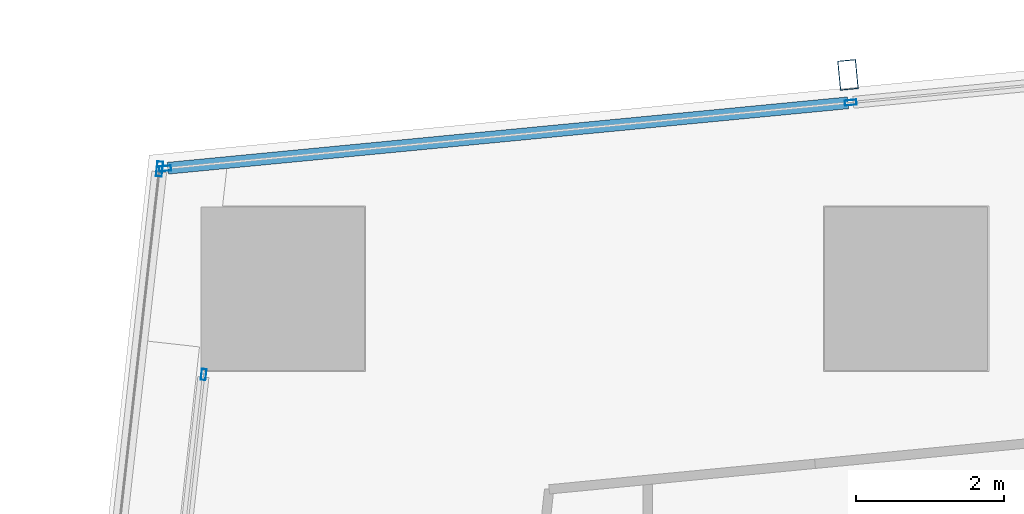
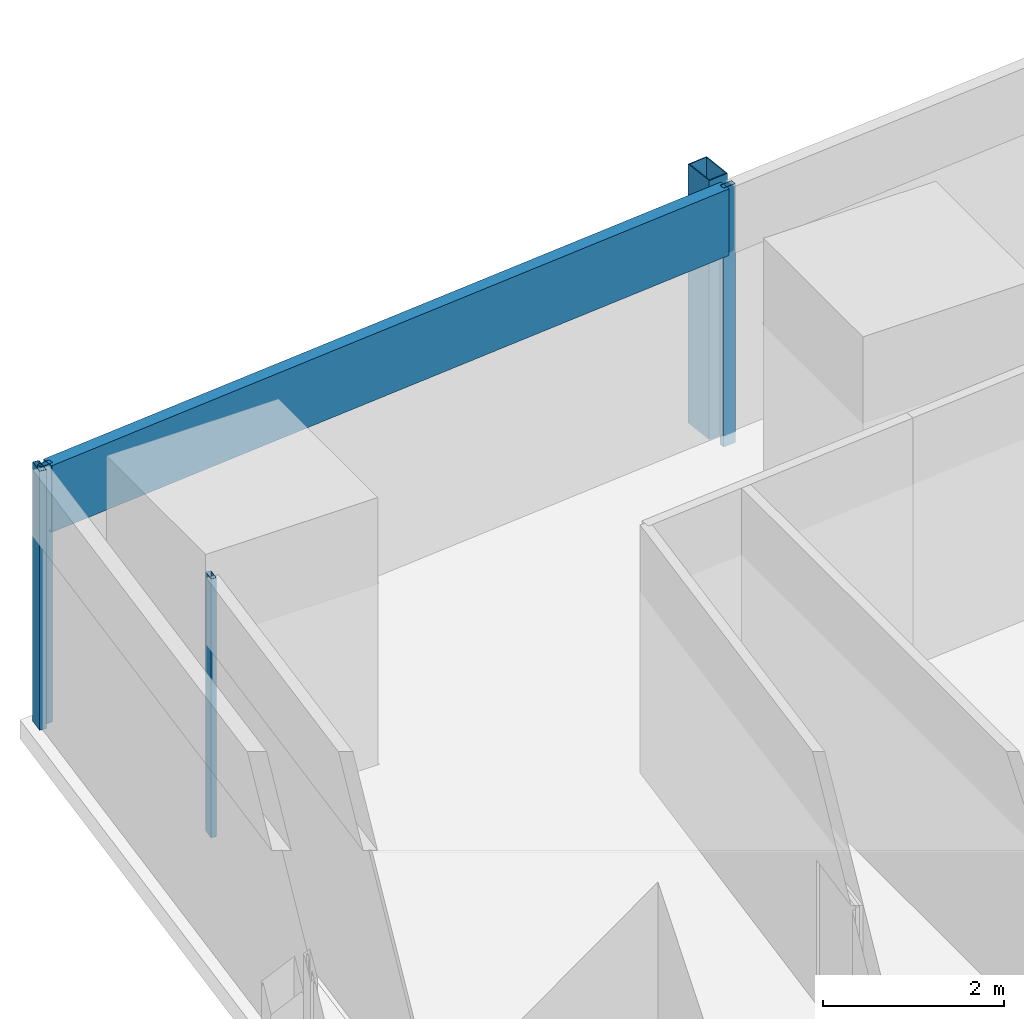
# One storey, part 16 of 44: 6 members, 3 elements without a shape of their own.
"""IFC4 building model written with IfcOpenShell, lengths in metres."""

import ifcopenshell
import ifcopenshell.guid

model = None  # the IFC model being written
_history = None  # IfcOwnerHistory: only IFC2X3 demands one
_inside = {}  # id of a spatial element -> (the spatial element, [elements in it])
_under = {}  # id of a project, library or spatial element -> (it, [spatial elements below it])
_declared = {}  # id of a project -> (the project, [libraries it declares])
_typed = {}  # id of a type object -> (the type object, [elements of that type])
_made_of = {}  # id of a material, layer set ... -> (it, [elements and type objects made of it])


def new_model(schema):
    """Start an empty IFC model of exactly this schema.

    Asked for "IFC4X3", IfcOpenShell would pick the latest addendum, in which some entities
    have other attributes; the version numbers below select the first issue.
    IFC2X3 requires an IfcOwnerHistory on every rooted entity: one is made here for all.
    """
    global model, _history
    if schema == "IFC4X3":
        model = ifcopenshell.file(schema_version=(4, 3, 0, 0))
    else:
        model = ifcopenshell.file(schema=schema)
    _inside.clear()
    _under.clear()
    _declared.clear()
    _typed.clear()
    _made_of.clear()
    _history = None
    if model.schema == "IFC2X3":
        org = make("IfcOrganization", Name="unknown")
        user = make(
            "IfcPersonAndOrganization",
            ThePerson=make("IfcPerson", FamilyName="unknown"),
            TheOrganization=org,
        )
        app = make(
            "IfcApplication",
            ApplicationDeveloper=org,
            Version="unknown",
            ApplicationFullName="unknown",
            ApplicationIdentifier="unknown",
        )
        _history = make(
            "IfcOwnerHistory",
            OwningUser=user,
            OwningApplication=app,
            ChangeAction="ADDED",
            CreationDate=0,
        )
    return model


def make(cls, **values):
    """One entity of the class cls with the attributes given. An attribute that is None is left unset."""
    return model.create_entity(
        cls, **{name: value for name, value in values.items() if value is not None}
    )


def rooted(cls, **values):
    """An entity with a GlobalId (a new one), such as an element, a storey or a relation."""
    return make(cls, GlobalId=ifcopenshell.guid.new(), OwnerHistory=_history, **values)


def si_unit(unit_type, name, prefix=None):
    """IfcSIUnit, for example si_unit("LENGTHUNIT", "METRE", prefix="MILLI")."""
    return make("IfcSIUnit", UnitType=unit_type, Prefix=prefix, Name=name)


def assignment(units):
    """IfcUnitAssignment: the units of a project."""
    return None if units is None else make("IfcUnitAssignment", Units=units)


def point(xyz):
    """IfcCartesianPoint."""
    return None if xyz is None else make("IfcCartesianPoint", Coordinates=xyz)


def direction(xyz):
    """IfcDirection."""
    return None if xyz is None else make("IfcDirection", DirectionRatios=xyz)


def frame(location, z_axis=None, x_axis=None):
    """IfcAxis2Placement3D, a coordinate frame: its origin and axes. An axis left out is left unset."""
    return make(
        "IfcAxis2Placement3D",
        Location=point(location),
        Axis=direction(z_axis),
        RefDirection=direction(x_axis),
    )


def frame_2d(location, x_axis=None):
    """IfcAxis2Placement2D, a coordinate frame in the plane: its origin and x axis."""
    return make(
        "IfcAxis2Placement2D", Location=point(location), RefDirection=direction(x_axis)
    )


def origin():
    """The frame at (0, 0, 0) with its axes left unset."""
    return frame((0.0, 0.0, 0.0))


def origin_2d():
    """The frame at (0, 0) in the plane with its x axis left unset."""
    return frame_2d((0.0, 0.0))


def place(relative_to, where):
    """IfcLocalPlacement: puts the frame where relative to a parent placement (None: the world)."""
    return make(
        "IfcLocalPlacement", PlacementRelTo=relative_to, RelativePlacement=where
    )


def context(
    kind, dimensions, precision=None, world=None, true_north=None, identifier=None
):
    """IfcGeometricRepresentationContext, for example the 3D "Model" context."""
    return make(
        "IfcGeometricRepresentationContext",
        ContextIdentifier=identifier,
        ContextType=kind,
        CoordinateSpaceDimension=dimensions,
        Precision=precision,
        WorldCoordinateSystem=world,
        TrueNorth=true_north,
    )


def subcontext(parent, identifier, kind, view, scale=None):
    """IfcGeometricRepresentationSubContext, for example "Body" below "Model"."""
    return make(
        "IfcGeometricRepresentationSubContext",
        ContextIdentifier=identifier,
        ContextType=kind,
        ParentContext=parent,
        TargetScale=scale,
        TargetView=view,
    )


def project(units=None, contexts=None):
    """IfcProject with its units and contexts."""
    return rooted(
        "IfcProject",
        Name="project",
        RepresentationContexts=contexts,
        UnitsInContext=assignment(units),
    )


def spatial(cls, under=None, at=None, **own):
    """A site, building, storey or space (cls), placed at a placement, below another one or the project."""
    s = rooted(cls, ObjectPlacement=at, **own)
    if under is not None:
        _under.setdefault(under.id(), (under, []))[1].append(s)
    return s


def profile(cls, at=None, kind="AREA", **sizes):
    """A parametric profile (cls). Its sizes go by their IFC names, for example OverallWidth=200.0."""
    return make(cls, ProfileType=kind, Position=at, **sizes)


def hollow_rectangle(**sizes):
    """IfcRectangleHollowProfileDef."""
    return profile("IfcRectangleHollowProfileDef", **sizes)


def extrude(swept, where, along, depth):
    """IfcExtrudedAreaSolid: the profile swept, set in the frame where, extruded along a direction by depth."""
    return make(
        "IfcExtrudedAreaSolid",
        SweptArea=swept,
        Position=where,
        ExtrudedDirection=direction(along),
        Depth=depth,
    )


def shape(context_of_items, identifier, shape_type, items):
    """IfcShapeRepresentation: the items that make up one representation, for example the "Body"."""
    return make(
        "IfcShapeRepresentation",
        ContextOfItems=context_of_items,
        RepresentationIdentifier=identifier,
        RepresentationType=shape_type,
        Items=items,
    )


def material(Name=None, Category=None):
    """IfcMaterial."""
    return make("IfcMaterial", Name=Name, Category=Category)


def material_profile(
    of_material, cross_section, Name=None, Category=None, Priority=None
):
    """IfcMaterialProfile: a cross section and its material."""
    return make(
        "IfcMaterialProfile",
        Name=Name,
        Material=of_material,
        Profile=cross_section,
        Priority=Priority,
        Category=Category,
    )


def profile_set(profiles, Name=None, composite=None):
    """IfcMaterialProfileSet."""
    return make(
        "IfcMaterialProfileSet",
        Name=Name,
        MaterialProfiles=profiles,
        CompositeProfile=composite,
    )


def made_of(thing, what):
    """Note that an element or type object is made of a material, layer set ...; save() writes the relation."""
    if what is not None:
        _made_of.setdefault(what.id(), (what, []))[1].append(thing)
    return thing


def type_object(cls, material=None, **own):
    """A type object (cls), such as IfcWallType, which elements share."""
    return made_of(rooted(cls, **own), material)


def element(
    cls,
    number,
    at=None,
    inside=None,
    cuts=None,
    type_object=None,
    material=None,
    context=None,
    identifier="Body",
    shape_type=None,
    held_by="IfcProductDefinitionShape",
    body=None,
    shapes=None,
    **own,
):
    """One element of the class cls, such as IfcWall. Its Tag is "e" and its number.

    at: its placement. inside: the storey or other place that contains it. cuts: it is an
    opening in that element (IfcRelVoidsElement). A single representation is given by context,
    identifier, shape_type and body (its items); several are given by shapes. held_by: the class
    of the entity that holds the representations. save() writes the other relations.
    """
    e = rooted(cls, Tag="e%d" % number, ObjectPlacement=at, **own)
    if body is not None:
        shapes = [shape(context, identifier, shape_type, body)]
    if shapes is not None:
        e.Representation = make(held_by, Representations=shapes)
    if inside is not None:
        _inside.setdefault(inside.id(), (inside, []))[1].append(e)
    if cuts is not None:
        rooted(
            "IfcRelVoidsElement", RelatingBuildingElement=cuts, RelatedOpeningElement=e
        )
    if type_object is not None:
        _typed.setdefault(type_object.id(), (type_object, []))[1].append(e)
    return made_of(e, material)


def aggregate(whole, parts):
    """IfcRelAggregates: a whole, such as a stair, and the parts it consists of."""
    return rooted("IfcRelAggregates", RelatingObject=whole, RelatedObjects=parts)


def save(model, path):
    """Write the relations noted so far, then the file.

    IfcRelAggregates (storeys below a building ...), IfcRelContainedInSpatialStructure (elements
    in a storey), IfcRelDefinesByType, IfcRelAssociatesMaterial and IfcRelDeclares: one each for
    every whole, place, type object, material and project.
    """
    for whole, parts in _under.values():
        aggregate(whole, parts)
    for where, things in _inside.values():
        rooted(
            "IfcRelContainedInSpatialStructure",
            RelatedElements=things,
            RelatingStructure=where,
        )
    for kind, things in _typed.values():
        rooted("IfcRelDefinesByType", RelatedObjects=things, RelatingType=kind)
    for what, things in _made_of.values():
        rooted("IfcRelAssociatesMaterial", RelatedObjects=things, RelatingMaterial=what)
    for by, libraries in _declared.values():
        rooted("IfcRelDeclares", RelatingContext=by, RelatedDefinitions=libraries)
    model.write(path)


model = new_model("IFC4")

# Units and contexts
model_context = context("Model", 3, precision=1e-05, world=origin(), true_north=direction((0.0, 1.0)))
body_context = subcontext(model_context, "Body", "Model", "MODEL_VIEW")
ifc_project = project(units=[si_unit("LENGTHUNIT", "METRE"), si_unit("AREAUNIT", "SQUARE_METRE"), si_unit("VOLUMEUNIT", "CUBIC_METRE"), si_unit("PLANEANGLEUNIT", "RADIAN"), si_unit("MASSUNIT", "GRAM", prefix="KILO")], contexts=[model_context])

# Site, building, storey
site_placement = place(None, origin())
site = spatial("IfcSite", under=ifc_project, at=site_placement, CompositionType="ELEMENT")
building_placement = place(site_placement, origin())
building = spatial("IfcBuilding", under=site, at=building_placement, Name="Rekha Terrace Tower", CompositionType="ELEMENT")
storey_placement = place(building_placement, frame((0.0, 0.0, 51.64990234375)))
storey = spatial("IfcBuildingStorey", under=building, at=storey_placement, Name="L12", CompositionType="ELEMENT", Elevation=51.64990234375)

# Curtain wall, member
ifc_material_1 = material(Name="Aluminium framing", Category="aluminium")
curtain_wall_type_1 = type_object("IfcCurtainWallType", Name="CW3 north unitised glazing", PredefinedType="USERDEFINED", material=ifc_material_1)
curtain_wall_1_placement = place(storey_placement, origin())
curtain_wall_1 = element("IfcCurtainWall", 1, at=curtain_wall_1_placement, inside=storey, type_object=curtain_wall_type_1, Name="CW3 unitised curtain wall", ObjectType="UNITISED CURTAIN WALL", PredefinedType="USERDEFINED")
ifc_material_2 = material(Name="Steel S355 with fluorocarbon finish", Category="steel")
ifc_material_profile_1 = material_profile(ifc_material_2, hollow_rectangle(XDim=0.25, YDim=0.39990234375, WallThickness=0.012451171875, at=origin_2d()), Name="RHS400x250x12.5")
ifc_profile_set_1 = profile_set([ifc_material_profile_1], Name="Steel S355 with fluorocarbon finish")
member_type_1 = type_object("IfcMemberType", Name="BL1 facade blade RHS 400 x 250", PredefinedType="USERDEFINED", material=ifc_profile_set_1)
member_1_placement = place(storey_placement, frame((16.01708984375, 61.681396484375, 0.0), z_axis=(0.0, 0.0, 1.0), x_axis=(-0.995409070123, -0.095711980009, 0.0)))
member_1 = element("IfcMember", 2, at=member_1_placement, type_object=member_type_1, Name="Facade blade", ObjectType="FACADE BLADE", PredefinedType="USERDEFINED", context=body_context, shape_type="SweptSolid", body=[
    extrude(hollow_rectangle(XDim=0.25, YDim=0.39990234375, WallThickness=0.012451171875, at=origin_2d()), origin(), (0.0, 0.0, 1.0), 3.5),
])

curtain_wall_type_2 = type_object("IfcCurtainWallType", Name="CW1 double skin inner glazing", PredefinedType="USERDEFINED", material=ifc_material_1)
curtain_wall_2_placement = place(storey_placement, origin())
curtain_wall_2 = element("IfcCurtainWall", 3, at=curtain_wall_2_placement, inside=storey, type_object=curtain_wall_type_2, Name="CW1 double skin inner glazing", ObjectType="DOUBLE SKIN INNER GLAZING", PredefinedType="USERDEFINED")
ifc_material_3 = material(Name="Aluminium mullion section", Category="aluminium")
ifc_material_profile_2 = material_profile(ifc_material_3, hollow_rectangle(XDim=0.06494140625, YDim=0.14990234375, WallThickness=0.00390625, at=origin_2d()), Name="AL RHS 65x150")
ifc_profile_set_2 = profile_set([ifc_material_profile_2], Name="Aluminium mullion section")
member_type_2 = type_object("IfcMemberType", Name="CW1 mullion RHS 65 x 150", PredefinedType="MULLION", material=ifc_profile_set_2)
member_2_placement = place(storey_placement, frame((7.334228515625, 57.643310546875, 0.0), z_axis=(0.0, 0.0, 1.0), x_axis=(0.993738615524, -0.111729870748, 0.0)))
member_2 = element("IfcMember", 4, at=member_2_placement, type_object=member_type_2, Name="CW1 mullion 1", PredefinedType="MULLION", context=body_context, shape_type="SweptSolid", body=[
    extrude(hollow_rectangle(XDim=0.06494140625, YDim=0.14990234375, WallThickness=0.00390625, at=origin_2d()), origin(), (0.0, 0.0, 1.0), 3.5),
])
aggregate(curtain_wall_2, [member_2])

curtain_wall_type_3 = type_object("IfcCurtainWallType", Name="CW2 double skin outer glazing", PredefinedType="USERDEFINED", material=ifc_material_1)
curtain_wall_3_placement = place(storey_placement, origin())
curtain_wall_3 = element("IfcCurtainWall", 5, at=curtain_wall_3_placement, inside=storey, type_object=curtain_wall_type_3, Name="CW2 double skin outer glazing", ObjectType="DOUBLE SKIN OUTER GLAZING", PredefinedType="USERDEFINED")
ifc_material_profile_3 = material_profile(ifc_material_3, hollow_rectangle(XDim=0.080078125, YDim=0.199951171875, WallThickness=0.00390625, at=origin_2d()), Name="AL RHS 80x200")
ifc_profile_set_3 = profile_set([ifc_material_profile_3], Name="Aluminium mullion section")
member_type_3 = type_object("IfcMemberType", Name="CW2 mullion RHS 80 x 200", PredefinedType="MULLION", material=ifc_profile_set_3)
member_3_placement = place(storey_placement, frame((6.739990234375, 60.413330078125, 0.0), z_axis=(0.0, 0.0, 1.0), x_axis=(0.99373861552, -0.111729870782, 0.0)))
member_3 = element("IfcMember", 6, at=member_3_placement, type_object=member_type_3, Name="CW2 mullion 1", PredefinedType="MULLION", context=body_context, shape_type="SweptSolid", body=[
    extrude(hollow_rectangle(XDim=0.080078125, YDim=0.199951171875, WallThickness=0.00390625, at=origin_2d()), origin(), (0.0, 0.0, 1.0), 3.5),
])
aggregate(curtain_wall_3, [member_3])

# Member
ifc_material_profile_4 = material_profile(ifc_material_3, hollow_rectangle(XDim=0.070068359375, YDim=0.159912109375, WallThickness=0.00390625, at=origin_2d()), Name="AL RHS 70x160")
ifc_profile_set_4 = profile_set([ifc_material_profile_4], Name="Aluminium mullion section")
member_type_4 = type_object("IfcMemberType", Name="CW3 mullion RHS 70 x 160", PredefinedType="MULLION", material=ifc_profile_set_4)
member_4_placement = place(storey_placement, frame((16.052978515625, 61.30810546875, 0.0), z_axis=(0.0, 0.0, 1.0), x_axis=(0.095712406625, -0.995409029102, 0.0)))
member_4 = element("IfcMember", 7, at=member_4_placement, type_object=member_type_4, Name="CW3 mullion 2", PredefinedType="MULLION", context=body_context, shape_type="SweptSolid", body=[
    extrude(hollow_rectangle(XDim=0.070068359375, YDim=0.159912109375, WallThickness=0.00390625, at=origin_2d()), origin(), (0.0, 0.0, 1.0), 3.5),
])

member_5_placement = place(storey_placement, frame((6.8154296875, 60.419677734375, 0.0), z_axis=(0.0, 0.0, 1.0), x_axis=(0.095712406625, -0.995409029102, 0.0)))
member_5 = element("IfcMember", 8, at=member_5_placement, type_object=member_type_4, Name="CW3 mullion 3", PredefinedType="MULLION", context=body_context, shape_type="SweptSolid", body=[
    extrude(hollow_rectangle(XDim=0.070068359375, YDim=0.159912109375, WallThickness=0.00390625, at=origin_2d()), origin(), (0.0, 0.0, 1.0), 3.5),
])

ifc_material_4 = material(Name="Insulated aluminium spandrel box", Category="aluminium")
ifc_material_profile_5 = material_profile(ifc_material_4, hollow_rectangle(XDim=0.159912109375, YDim=0.89990234375, WallThickness=0.0029296875, at=origin_2d()), Name="AL SPANDREL BOX 160x900")
ifc_profile_set_5 = profile_set([ifc_material_profile_5], Name="Insulated aluminium spandrel box")
member_type_5 = type_object("IfcMemberType", Name="CW3 spandrel transom 160 x 900", PredefinedType="USERDEFINED", material=ifc_profile_set_5)
member_6_placement = place(storey_placement, frame((16.018310546875, 61.3046875, 3.050048828125), z_axis=(-0.995408446287, -0.095718467713, 0.0), x_axis=(0.095718467713, -0.995408446287, 0.0)))
member_6 = element("IfcMember", 9, at=member_6_placement, type_object=member_type_5, Name="CW3 spandrel transom 2", ObjectType="TRANSOM", PredefinedType="USERDEFINED", context=body_context, shape_type="SweptSolid", body=[
    extrude(hollow_rectangle(XDim=0.159912109375, YDim=0.89990234375, WallThickness=0.0029296875, at=origin_2d()), origin(), (0.0, 0.0, 1.0), 9.210205078125),
])

aggregate(curtain_wall_1, [member_4, member_5, member_6, member_1])

save(model, "model.ifc")
